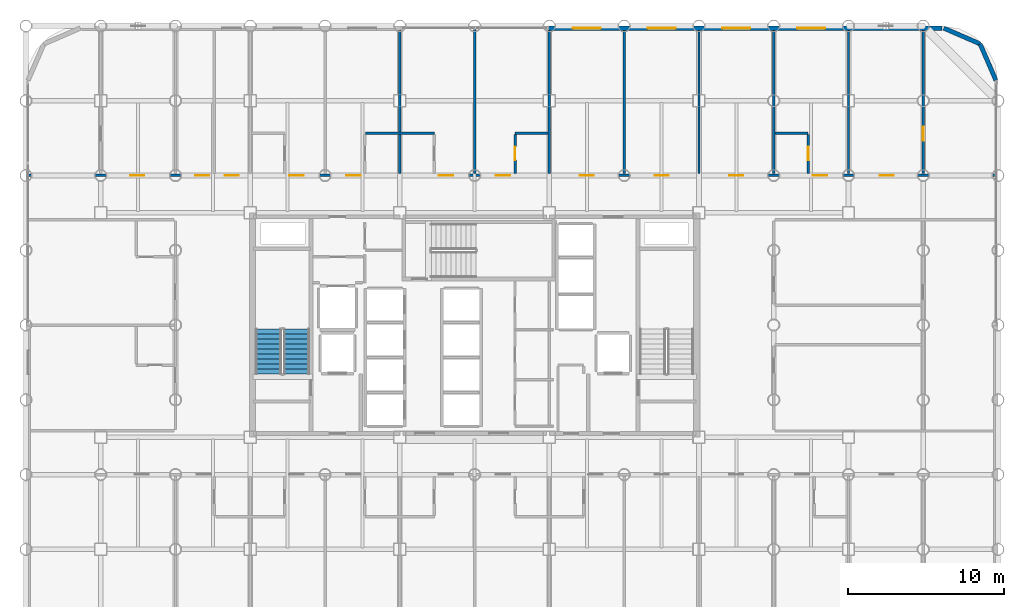
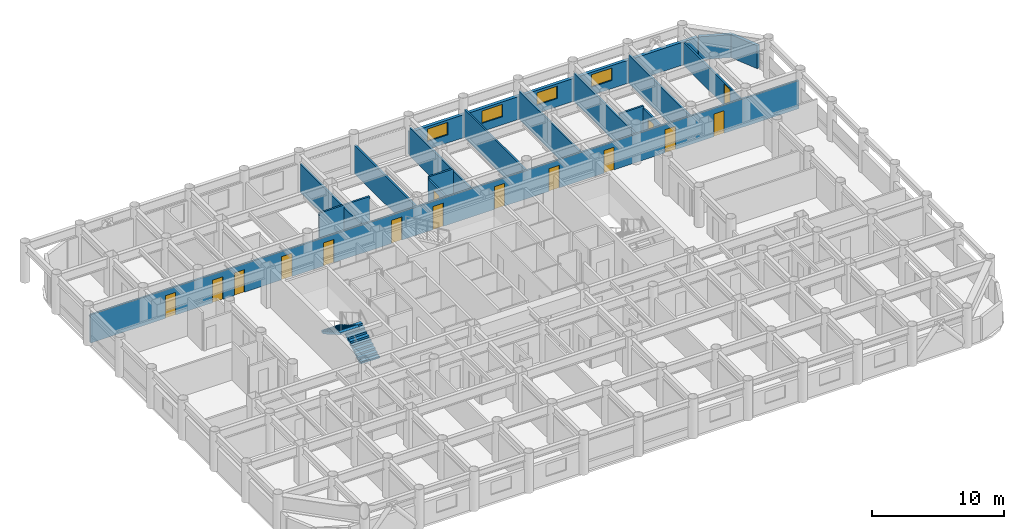
# One storey, part 19 of 21: 17 walls, 15 doors, 4 windows, 2 stair flights, 19 openings, 1 element without a shape of its own.
"""IFC4 building model written with IfcOpenShell, lengths in metres."""

from ifc_helpers import new_model, si_unit, direction, frame, frame_2d, origin, place, context, subcontext, project, spatial, polyline, rectangle, outline, extrude, material, layer, layer_set, type_object, element, fill, aggregate, save


model = new_model("IFC4")

# Units and contexts
model_context = context("Model", 3, precision=1e-05, world=origin(), true_north=direction((0.0, 1.0)))
body_context = subcontext(model_context, "Body", "Model", "MODEL_VIEW")
ifc_project = project(units=[si_unit("LENGTHUNIT", "METRE"), si_unit("AREAUNIT", "SQUARE_METRE"), si_unit("VOLUMEUNIT", "CUBIC_METRE"), si_unit("PLANEANGLEUNIT", "RADIAN"), si_unit("MASSUNIT", "GRAM", prefix="KILO")], contexts=[model_context])

# Site, building, storey
site_placement = place(None, origin())
site = spatial("IfcSite", under=ifc_project, at=site_placement, CompositionType="ELEMENT")
building_placement = place(site_placement, origin())
building = spatial("IfcBuilding", under=site, at=building_placement, Name="Kallvorn Hotel Tower", CompositionType="ELEMENT")
storey_placement = place(building_placement, frame((0.0, 0.0, 81.800048828125)))
storey = spatial("IfcBuildingStorey", under=building, at=storey_placement, Name="L19", CompositionType="ELEMENT", Elevation=81.800048828125)

# Wall, openings, doors
ifc_material_1 = material(Name="Fire-rated double-layer acoustic gypsum drywall EI 60")
ifc_layer_1 = layer(ifc_material_1, 0.159912109375)
ifc_layer_set_1 = layer_set([ifc_layer_1], Name="WL_DEMISE_160")
wall_type_1 = type_object("IfcWallType", Name="WL_DEMISE_160", PredefinedType="PARTITIONING", material=ifc_layer_set_1)
wall_1_placement = place(storey_placement, frame((-28.6298828125, 9.60009765625, 0.0), z_axis=(0.0, 0.0, 1.0), x_axis=(1.0, 0.0, 0.0)))
wall_1 = element("IfcWall", 1, at=wall_1_placement, inside=storey, type_object=wall_type_1, Name="L19 Suite 1910 Standard Twin Room Partition", PredefinedType="PARTITIONING", context=body_context, shape_type="SweptSolid", body=[
    extrude(rectangle(XDim=62.059814453125, YDim=0.159912109375, at=frame_2d((31.02978515625, 0.0))), origin(), (0.0, 0.0, 1.0), 2.619873046875),
])
opening_1_placement = place(wall_1_placement, frame((6.5400390625, 0.0, 0.0)))
opening_1 = element("IfcOpeningElement", 2, at=opening_1_placement, cuts=wall_1, Name="Opening SVD1", PredefinedType="OPENING", context=body_context, shape_type="SweptSolid", body=[
    extrude(rectangle(XDim=0.89990234375, YDim=2.10009765625, at=frame_2d((0.449951171875, 1.050048828125))), frame((0.0, 0.094970703125, 0.0), z_axis=(0.0, -1.0, 0.0), x_axis=(1.0, 0.0, 0.0)), (0.0, 0.0, 1.0), 0.18994140625),
])
opening_2_placement = place(wall_1_placement, frame((54.6201171875, 0.0, 0.0)))
opening_2 = element("IfcOpeningElement", 3, at=opening_2_placement, cuts=wall_1, Name="Opening SVD1", PredefinedType="OPENING", context=body_context, shape_type="SweptSolid", body=[
    extrude(rectangle(XDim=0.89990234375, YDim=2.10009765625, at=frame_2d((0.449951171875, 1.050048828125))), frame((0.0, 0.094970703125, 0.0), z_axis=(0.0, -1.0, 0.0), x_axis=(1.0, 0.0, 0.0)), (0.0, 0.0, 1.0), 0.18994140625),
])
opening_3_placement = place(wall_1_placement, frame((10.68994140625, 0.0, 0.0)))
opening_3 = element("IfcOpeningElement", 4, at=opening_3_placement, cuts=wall_1, Name="Opening SVD1", PredefinedType="OPENING", context=body_context, shape_type="SweptSolid", body=[
    extrude(rectangle(XDim=0.89990234375, YDim=2.10009765625, at=frame_2d((0.449951171875, 1.050048828125))), frame((0.0, 0.094970703125, 0.0), z_axis=(0.0, -1.0, 0.0), x_axis=(1.0, 0.0, 0.0)), (0.0, 0.0, 1.0), 0.18994140625),
])
opening_4_placement = place(wall_1_placement, frame((12.580078125, 0.0, 0.0)))
opening_4 = element("IfcOpeningElement", 5, at=opening_4_placement, cuts=wall_1, Name="Opening SVD1", PredefinedType="OPENING", context=body_context, shape_type="SweptSolid", body=[
    extrude(rectangle(XDim=0.89990234375, YDim=2.10009765625, at=frame_2d((0.449951171875, 1.050048828125))), frame((0.0, 0.094970703125, 0.0), z_axis=(0.0, -1.0, 0.0), x_axis=(1.0, 0.0, 0.0)), (0.0, 0.0, 1.0), 0.18994140625),
])
opening_5_placement = place(wall_1_placement, frame((16.739990234375, 0.0, 0.0)))
opening_5 = element("IfcOpeningElement", 6, at=opening_5_placement, cuts=wall_1, Name="Opening GD1", PredefinedType="OPENING", context=body_context, shape_type="SweptSolid", body=[
    extrude(rectangle(XDim=0.919921875, YDim=2.14990234375, at=frame_2d((0.4599609375, 1.074951171875))), frame((0.0, 0.094970703125, 0.0), z_axis=(0.0, -1.0, 0.0), x_axis=(1.0, 0.0, 0.0)), (0.0, 0.0, 1.0), 0.18994140625),
])
opening_6_placement = place(wall_1_placement, frame((20.39990234375, 0.0, 0.0)))
opening_6 = element("IfcOpeningElement", 7, at=opening_6_placement, cuts=wall_1, Name="Opening GD1", PredefinedType="OPENING", context=body_context, shape_type="SweptSolid", body=[
    extrude(rectangle(XDim=0.919921875, YDim=2.14990234375, at=frame_2d((0.4599609375, 1.074951171875))), frame((0.0, 0.094970703125, 0.0), z_axis=(0.0, -1.0, 0.0), x_axis=(1.0, 0.0, 0.0)), (0.0, 0.0, 1.0), 0.18994140625),
])
opening_7_placement = place(wall_1_placement, frame((26.340087890625, 0.0, 0.0)))
opening_7 = element("IfcOpeningElement", 8, at=opening_7_placement, cuts=wall_1, Name="Opening GD1", PredefinedType="OPENING", context=body_context, shape_type="SweptSolid", body=[
    extrude(rectangle(XDim=0.919921875, YDim=2.14990234375, at=frame_2d((0.4599609375, 1.074951171875))), frame((0.0, 0.094970703125, 0.0), z_axis=(0.0, -1.0, 0.0), x_axis=(1.0, 0.0, 0.0)), (0.0, 0.0, 1.0), 0.18994140625),
])
opening_8_placement = place(wall_1_placement, frame((30.0, 0.0, 0.0)))
opening_8 = element("IfcOpeningElement", 9, at=opening_8_placement, cuts=wall_1, Name="Opening GD1", PredefinedType="OPENING", context=body_context, shape_type="SweptSolid", body=[
    extrude(rectangle(XDim=0.919921875, YDim=2.14990234375, at=frame_2d((0.4599609375, 1.074951171875))), frame((0.0, 0.094970703125, 0.0), z_axis=(0.0, -1.0, 0.0), x_axis=(1.0, 0.0, 0.0)), (0.0, 0.0, 1.0), 0.18994140625),
])
opening_9_placement = place(wall_1_placement, frame((35.3798828125, 0.0, 0.0)))
opening_9 = element("IfcOpeningElement", 10, at=opening_9_placement, cuts=wall_1, Name="Opening SVD1", PredefinedType="OPENING", context=body_context, shape_type="SweptSolid", body=[
    extrude(rectangle(XDim=0.89990234375, YDim=2.10009765625, at=frame_2d((0.449951171875, 1.050048828125))), frame((0.0, 0.094970703125, 0.0), z_axis=(0.0, -1.0, 0.0), x_axis=(1.0, 0.0, 0.0)), (0.0, 0.0, 1.0), 0.18994140625),
])
opening_10_placement = place(wall_1_placement, frame((40.179931640625, 0.0, 0.0)))
opening_10 = element("IfcOpeningElement", 11, at=opening_10_placement, cuts=wall_1, Name="Opening SVD1", PredefinedType="OPENING", context=body_context, shape_type="SweptSolid", body=[
    extrude(rectangle(XDim=0.89990234375, YDim=2.10009765625, at=frame_2d((0.449951171875, 1.050048828125))), frame((0.0, 0.094970703125, 0.0), z_axis=(0.0, -1.0, 0.0), x_axis=(1.0, 0.0, 0.0)), (0.0, 0.0, 1.0), 0.18994140625),
])
opening_11_placement = place(wall_1_placement, frame((44.97998046875, 0.0, 0.0)))
opening_11 = element("IfcOpeningElement", 12, at=opening_11_placement, cuts=wall_1, Name="Opening SVD1", PredefinedType="OPENING", context=body_context, shape_type="SweptSolid", body=[
    extrude(rectangle(XDim=0.89990234375, YDim=2.10009765625, at=frame_2d((0.449951171875, 1.050048828125))), frame((0.0, 0.094970703125, 0.0), z_axis=(0.0, -1.0, 0.0), x_axis=(1.0, 0.0, 0.0)), (0.0, 0.0, 1.0), 0.18994140625),
])
opening_12_placement = place(wall_1_placement, frame((50.340087890625, 0.0, 0.0)))
opening_12 = element("IfcOpeningElement", 13, at=opening_12_placement, cuts=wall_1, Name="Opening GD1", PredefinedType="OPENING", context=body_context, shape_type="SweptSolid", body=[
    extrude(rectangle(XDim=0.919921875, YDim=2.14990234375, at=frame_2d((0.4599609375, 1.074951171875))), frame((0.0, 0.094970703125, 0.0), z_axis=(0.0, -1.0, 0.0), x_axis=(1.0, 0.0, 0.0)), (0.0, 0.0, 1.0), 0.18994140625),
])
ifc_material_2 = material(Name="Solid-core walnut veneer fire-rated timber door leaf", Category="wood")
door_type_1 = type_object("IfcDoorType", Name="DR_GUEST_920x2150", OperationType="NOTDEFINED", PredefinedType="DOOR", material=ifc_material_2)
door_1_placement = place(opening_5_placement, origin())
door_1 = element("IfcDoor", 14, at=door_1_placement, inside=storey, type_object=door_type_1, Name="L19 Suite 1910 Standard Twin Room Door", OperationType="SINGLE_SWING_LEFT", OverallHeight=2.14990234375, OverallWidth=0.919921875, PredefinedType="DOOR", context=body_context, shape_type="SweptSolid", body=[
    extrude(rectangle(XDim=0.919921875, YDim=2.14990234375, at=frame_2d((0.4599609375, 1.074951171875))), frame((0.0, 0.02490234375, 0.0), z_axis=(0.0, -1.0, 0.0), x_axis=(1.0, 0.0, 0.0)), (0.0, 0.0, 1.0), 0.050048828125),
])
fill(opening_5, door_1)
door_2_placement = place(opening_6_placement, origin())
door_2 = element("IfcDoor", 15, at=door_2_placement, inside=storey, type_object=door_type_1, Name="L19 Suite 1911 Standard Twin Room Door", OperationType="SINGLE_SWING_LEFT", OverallHeight=2.14990234375, OverallWidth=0.919921875, PredefinedType="DOOR", context=body_context, shape_type="SweptSolid", body=[
    extrude(rectangle(XDim=0.919921875, YDim=2.14990234375, at=frame_2d((0.4599609375, 1.074951171875))), frame((0.0, 0.02490234375, 0.0), z_axis=(0.0, -1.0, 0.0), x_axis=(1.0, 0.0, 0.0)), (0.0, 0.0, 1.0), 0.050048828125),
])
fill(opening_6, door_2)
door_3_placement = place(opening_7_placement, origin())
door_3 = element("IfcDoor", 16, at=door_3_placement, inside=storey, type_object=door_type_1, Name="L19 Suite 1912 Standard Twin Room Door", OperationType="SINGLE_SWING_LEFT", OverallHeight=2.14990234375, OverallWidth=0.919921875, PredefinedType="DOOR", context=body_context, shape_type="SweptSolid", body=[
    extrude(rectangle(XDim=0.919921875, YDim=2.14990234375, at=frame_2d((0.4599609375, 1.074951171875))), frame((0.0, 0.02490234375, 0.0), z_axis=(0.0, -1.0, 0.0), x_axis=(1.0, 0.0, 0.0)), (0.0, 0.0, 1.0), 0.050048828125),
])
fill(opening_7, door_3)
door_4_placement = place(opening_8_placement, origin())
door_4 = element("IfcDoor", 17, at=door_4_placement, inside=storey, type_object=door_type_1, Name="L19 Suite 1913 Standard Twin Room Door", OperationType="SINGLE_SWING_LEFT", OverallHeight=2.14990234375, OverallWidth=0.919921875, PredefinedType="DOOR", context=body_context, shape_type="SweptSolid", body=[
    extrude(rectangle(XDim=0.919921875, YDim=2.14990234375, at=frame_2d((0.4599609375, 1.074951171875))), frame((0.0, 0.02490234375, 0.0), z_axis=(0.0, -1.0, 0.0), x_axis=(1.0, 0.0, 0.0)), (0.0, 0.0, 1.0), 0.050048828125),
])
fill(opening_8, door_4)
door_5_placement = place(opening_12_placement, origin())
door_5 = element("IfcDoor", 18, at=door_5_placement, inside=storey, type_object=door_type_1, Name="L19 Suite 1914 Standard Twin Room Door", OperationType="SINGLE_SWING_RIGHT", OverallHeight=2.14990234375, OverallWidth=0.919921875, PredefinedType="DOOR", context=body_context, shape_type="SweptSolid", body=[
    extrude(rectangle(XDim=0.919921875, YDim=2.14990234375, at=frame_2d((0.4599609375, 1.074951171875))), frame((0.0, 0.02490234375, 0.0), z_axis=(0.0, -1.0, 0.0), x_axis=(1.0, 0.0, 0.0)), (0.0, 0.0, 1.0), 0.050048828125),
])
fill(opening_12, door_5)
ifc_material_3 = material(Name="Galvanised painted steel fire-rated door assembly", Category="steel")
door_type_2 = type_object("IfcDoorType", Name="DR_SERV_900x2100", OperationType="NOTDEFINED", PredefinedType="DOOR", material=ifc_material_3)
door_6_placement = place(opening_1_placement, origin())
door_6 = element("IfcDoor", 19, at=door_6_placement, inside=storey, type_object=door_type_2, Name="L19 L19 North-West Fitness Gymnasium B Door", OperationType="SINGLE_SWING_RIGHT", OverallHeight=2.10009765625, OverallWidth=0.89990234375, PredefinedType="DOOR", context=body_context, shape_type="SweptSolid", body=[
    extrude(rectangle(XDim=0.89990234375, YDim=2.10009765625, at=frame_2d((0.449951171875, 1.050048828125))), frame((0.0, 0.02490234375, 0.0), z_axis=(0.0, -1.0, 0.0), x_axis=(1.0, 0.0, 0.0)), (0.0, 0.0, 1.0), 0.050048828125),
])
fill(opening_1, door_6)
door_7_placement = place(opening_2_placement, origin())
door_7 = element("IfcDoor", 20, at=door_7_placement, inside=storey, type_object=door_type_2, Name="L19 L19 North-East Reading Club A Door", OperationType="SINGLE_SWING_LEFT", OverallHeight=2.10009765625, OverallWidth=0.89990234375, PredefinedType="DOOR", context=body_context, shape_type="SweptSolid", body=[
    extrude(rectangle(XDim=0.89990234375, YDim=2.10009765625, at=frame_2d((0.449951171875, 1.050048828125))), frame((0.0, 0.02490234375, 0.0), z_axis=(0.0, -1.0, 0.0), x_axis=(1.0, 0.0, 0.0)), (0.0, 0.0, 1.0), 0.050048828125),
])
fill(opening_2, door_7)
door_8_placement = place(opening_3_placement, origin())
door_8 = element("IfcDoor", 21, at=door_8_placement, inside=storey, type_object=door_type_2, Name="L19 Housekeeping and Linen Room Door", OperationType="SINGLE_SWING_RIGHT", OverallHeight=2.10009765625, OverallWidth=0.89990234375, PredefinedType="DOOR", context=body_context, shape_type="SweptSolid", body=[
    extrude(rectangle(XDim=0.89990234375, YDim=2.10009765625, at=frame_2d((0.449951171875, 1.050048828125))), frame((0.0, 0.02490234375, 0.0), z_axis=(0.0, -1.0, 0.0), x_axis=(1.0, 0.0, 0.0)), (0.0, 0.0, 1.0), 0.050048828125),
])
fill(opening_3, door_8)
door_9_placement = place(opening_4_placement, origin())
door_9 = element("IfcDoor", 22, at=door_9_placement, inside=storey, type_object=door_type_2, Name="L19 Guest Tea and Refreshment Bar Door", OperationType="SINGLE_SWING_LEFT", OverallHeight=2.10009765625, OverallWidth=0.89990234375, PredefinedType="DOOR", context=body_context, shape_type="SweptSolid", body=[
    extrude(rectangle(XDim=0.89990234375, YDim=2.10009765625, at=frame_2d((0.449951171875, 1.050048828125))), frame((0.0, 0.02490234375, 0.0), z_axis=(0.0, -1.0, 0.0), x_axis=(1.0, 0.0, 0.0)), (0.0, 0.0, 1.0), 0.050048828125),
])
fill(opening_4, door_9)
door_10_placement = place(opening_9_placement, origin())
door_10 = element("IfcDoor", 23, at=door_10_placement, inside=storey, type_object=door_type_2, Name="L19 L19 Executive Co-Working Open-Plan Office 6-1 Door", OperationType="SINGLE_SWING_RIGHT", OverallHeight=2.10009765625, OverallWidth=0.89990234375, PredefinedType="DOOR", context=body_context, shape_type="SweptSolid", body=[
    extrude(rectangle(XDim=0.89990234375, YDim=2.10009765625, at=frame_2d((0.449951171875, 1.050048828125))), frame((0.0, 0.02490234375, 0.0), z_axis=(0.0, -1.0, 0.0), x_axis=(1.0, 0.0, 0.0)), (0.0, 0.0, 1.0), 0.050048828125),
])
fill(opening_9, door_10)
door_11_placement = place(opening_10_placement, origin())
door_11 = element("IfcDoor", 24, at=door_11_placement, inside=storey, type_object=door_type_2, Name="L19 L19 Executive Co-Working Open-Plan Office 6-2 Door", OperationType="SINGLE_SWING_RIGHT", OverallHeight=2.10009765625, OverallWidth=0.89990234375, PredefinedType="DOOR", context=body_context, shape_type="SweptSolid", body=[
    extrude(rectangle(XDim=0.89990234375, YDim=2.10009765625, at=frame_2d((0.449951171875, 1.050048828125))), frame((0.0, 0.02490234375, 0.0), z_axis=(0.0, -1.0, 0.0), x_axis=(1.0, 0.0, 0.0)), (0.0, 0.0, 1.0), 0.050048828125),
])
fill(opening_10, door_11)
door_12_placement = place(opening_11_placement, origin())
door_12 = element("IfcDoor", 25, at=door_12_placement, inside=storey, type_object=door_type_2, Name="L19 L19 Executive Co-Working Open-Plan Office 6-3 Door", OperationType="SINGLE_SWING_LEFT", OverallHeight=2.10009765625, OverallWidth=0.89990234375, PredefinedType="DOOR", context=body_context, shape_type="SweptSolid", body=[
    extrude(rectangle(XDim=0.89990234375, YDim=2.10009765625, at=frame_2d((0.449951171875, 1.050048828125))), frame((0.0, 0.02490234375, 0.0), z_axis=(0.0, -1.0, 0.0), x_axis=(1.0, 0.0, 0.0)), (0.0, 0.0, 1.0), 0.050048828125),
])
fill(opening_11, door_12)

# Walls
wall_2_placement = place(storey_placement, frame((-7.010009765625, 12.320068359375, 0.0), z_axis=(0.0, 0.0, 1.0), x_axis=(1.0, 0.0, 0.0)))
element("IfcWall", 26, at=wall_2_placement, inside=storey, type_object=wall_type_1, Name="L19 Suite 1911 Standard Twin Room Partition", PredefinedType="PARTITIONING", context=body_context, shape_type="SweptSolid", body=[
    extrude(rectangle(XDim=4.419921875, YDim=0.159912109375, at=frame_2d((2.2099609375, 0.0))), origin(), (0.0, 0.0, 1.0), 2.820068359375),
])
for number, where, z_axis, x_axis, name in (
    (27, (2.590087890625, 12.320068359375, 0.0), (0.0, 0.0, 1.0), (1.0, 0.0, 0.0), "L19 Suite 1913 Standard Twin Room Partition"),
    (28, (19.280029296875, 12.320068359375, 0.0), (0.0, 0.0, 1.0), (1.0, 0.0, 0.0), "L19 Suite 1914 Standard Twin Room Partition"),
):
    element("IfcWall", number, at=place(storey_placement, frame(where, z_axis=z_axis, x_axis=x_axis)), inside=storey, type_object=wall_type_1, Name=name, PredefinedType="PARTITIONING", context=body_context, shape_type="SweptSolid", body=[
        extrude(rectangle(XDim=2.1298828125, YDim=0.159912109375, at=frame_2d((1.06494140625, 0.0))), origin(), (0.0, 0.0, 1.0), 2.820068359375),
    ])
wall_3_placement = place(storey_placement, frame((-4.800048828125, 9.719970703125, 0.0), z_axis=(0.0, 0.0, 1.0), x_axis=(0.0, 1.0, 0.0)))
element("IfcWall", 29, at=wall_3_placement, inside=storey, type_object=wall_type_1, Name="L19 Suite 1911 Standard Twin Room Partition", PredefinedType="PARTITIONING", context=body_context, shape_type="SweptSolid", body=[
    extrude(rectangle(XDim=9.18994140625, YDim=0.159912109375, at=frame_2d((4.594970703125, 0.0))), origin(), (0.0, 0.0, 1.0), 2.619873046875),
])
wall_4_placement = place(storey_placement, frame((0.0, 9.719970703125, 0.0), z_axis=(0.0, 0.0, 1.0), x_axis=(0.0, 1.0, 0.0)))
element("IfcWall", 30, at=wall_4_placement, inside=storey, type_object=wall_type_1, Name="L19 Suite 1912 Standard Twin Room Partition", PredefinedType="PARTITIONING", context=body_context, shape_type="SweptSolid", body=[
    extrude(rectangle(XDim=9.275146484375, YDim=0.159912109375, at=frame_2d((4.6376953125, 0.0))), origin(), (0.0, 0.0, 1.0), 2.619873046875),
])

# Wall, opening, door
wall_5_placement = place(storey_placement, frame((2.59423828125, 9.719970703125, 0.0), z_axis=(0.0, 0.0, 1.0), x_axis=(0.0, 1.0, 0.0)))
wall_5 = element("IfcWall", 31, at=wall_5_placement, inside=storey, type_object=wall_type_1, Name="L19 Suite 1913 Standard Twin Room Partition", PredefinedType="PARTITIONING", context=body_context, shape_type="SweptSolid", body=[
    extrude(rectangle(XDim=2.51513671875, YDim=0.159912109375, at=frame_2d((1.257568359375, 0.0))), origin(), (0.0, 0.0, 1.0), 2.619873046875),
])
opening_13_placement = place(wall_5_placement, frame((0.8701171875, 0.0, 0.0)))
opening_13 = element("IfcOpeningElement", 32, at=opening_13_placement, cuts=wall_5, Name="Opening BD-I", PredefinedType="OPENING", context=body_context, shape_type="SweptSolid", body=[
    extrude(rectangle(XDim=0.860107421875, YDim=2.10009765625, at=frame_2d((0.43017578125, 1.050048828125))), frame((0.0, 0.094970703125, 0.0), z_axis=(0.0, -1.0, 0.0), x_axis=(1.0, 0.0, 0.0)), (0.0, 0.0, 1.0), 0.18994140625),
])
ifc_material_4 = material(Name="Solid-core walnut veneer fire-rated timber door leaf", Category="wood")
door_type_3 = type_object("IfcDoorType", Name="DR_BATH_860x2100", OperationType="NOTDEFINED", PredefinedType="DOOR", material=ifc_material_4)
door_13_placement = place(opening_13_placement, origin())
door_13 = element("IfcDoor", 33, at=door_13_placement, inside=storey, type_object=door_type_3, Name="L19 Suite 1913 En-Suite Bathroom Door", OperationType="SINGLE_SWING_LEFT", OverallHeight=2.10009765625, OverallWidth=0.860107421875, PredefinedType="DOOR", context=body_context, shape_type="SweptSolid", body=[
    extrude(rectangle(XDim=0.860107421875, YDim=2.10009765625, at=frame_2d((0.43017578125, 1.050048828125))), frame((0.0, 0.02490234375, 0.0), z_axis=(0.0, -1.0, 0.0), x_axis=(1.0, 0.0, 0.0)), (0.0, 0.0, 1.0), 0.050048828125),
])
fill(opening_13, door_13)

# Walls
for number, where, z_axis, x_axis, name in (
    (34, (4.800048828125, 9.719970703125, 0.0), (0.0, 0.0, 1.0), (0.0, 1.0, 0.0), "L19 Suite 1913 Standard Twin Room Partition"),
    (35, (19.199951171875, 9.719970703125, 0.0), (0.0, 0.0, 1.0), (0.0, 1.0, 0.0), "L19 Suite 1914 Standard Twin Room Partition"),
):
    element("IfcWall", number, at=place(storey_placement, frame(where, z_axis=z_axis, x_axis=x_axis)), inside=storey, type_object=wall_type_1, Name=name, PredefinedType="PARTITIONING", context=body_context, shape_type="SweptSolid", body=[
        extrude(rectangle(XDim=9.18994140625, YDim=0.159912109375, at=frame_2d((4.594970703125, 0.0))), origin(), (0.0, 0.0, 1.0), 2.619873046875),
    ])

# Wall, opening, door
wall_6_placement = place(storey_placement, frame((21.409912109375, 9.719970703125, 0.0), z_axis=(0.0, 0.0, 1.0), x_axis=(0.0, 1.0, 0.0)))
wall_6 = element("IfcWall", 36, at=wall_6_placement, inside=storey, type_object=wall_type_1, Name="L19 Suite 1914 Standard Twin Room Partition", PredefinedType="PARTITIONING", context=body_context, shape_type="SweptSolid", body=[
    extrude(rectangle(XDim=2.51513671875, YDim=0.159912109375, at=frame_2d((1.257568359375, 0.0))), origin(), (0.0, 0.0, 1.0), 2.619873046875),
])
opening_14_placement = place(wall_6_placement, frame((0.8701171875, 0.0, 0.0)))
opening_14 = element("IfcOpeningElement", 37, at=opening_14_placement, cuts=wall_6, Name="Opening BD-I", PredefinedType="OPENING", context=body_context, shape_type="SweptSolid", body=[
    extrude(rectangle(XDim=0.860107421875, YDim=2.10009765625, at=frame_2d((0.43017578125, 1.050048828125))), frame((0.0, 0.094970703125, 0.0), z_axis=(0.0, -1.0, 0.0), x_axis=(1.0, 0.0, 0.0)), (0.0, 0.0, 1.0), 0.18994140625),
])
door_14_placement = place(opening_14_placement, origin())
door_14 = element("IfcDoor", 38, at=door_14_placement, inside=storey, type_object=door_type_3, Name="L19 Suite 1914 En-Suite Bathroom Door", OperationType="SINGLE_SWING_RIGHT", OverallHeight=2.10009765625, OverallWidth=0.860107421875, PredefinedType="DOOR", context=body_context, shape_type="SweptSolid", body=[
    extrude(rectangle(XDim=0.860107421875, YDim=2.10009765625, at=frame_2d((0.43017578125, 1.050048828125))), frame((0.0, 0.02490234375, 0.0), z_axis=(0.0, -1.0, 0.0), x_axis=(1.0, 0.0, 0.0)), (0.0, 0.0, 1.0), 0.050048828125),
])
fill(opening_14, door_14)

# Walls
wall_7_placement = place(storey_placement, frame((24.0, 9.719970703125, 0.0), z_axis=(0.0, 0.0, 1.0), x_axis=(0.0, 1.0, 0.0)))
element("IfcWall", 39, at=wall_7_placement, inside=storey, type_object=wall_type_1, Name="L19 Suite 1914 Standard Twin Room Partition", PredefinedType="PARTITIONING", context=body_context, shape_type="SweptSolid", body=[
    extrude(rectangle(XDim=9.18994140625, YDim=0.159912109375, at=frame_2d((4.594970703125, 0.0))), origin(), (0.0, 0.0, 1.0), 2.619873046875),
])
ifc_material_5 = material(Name="Precast basalt-clad insulated concrete wall C40/50", Category="masonry")
ifc_layer_2 = layer(ifc_material_5, 0.280029296875)
ifc_layer_set_2 = layer_set([ifc_layer_2], Name="WL_EXT_LOGGIA_280")
wall_type_2 = type_object("IfcWallType", Name="WL_EXT_LOGGIA_280", PredefinedType="SOLIDWALL", material=ifc_layer_set_2)
wall_8_placement = place(storey_placement, frame((33.4580078125, 15.720703125, 0.0), z_axis=(0.0, 0.0, 1.0), x_axis=(-0.398792985289, 0.917040977756, 0.0)))
element("IfcWall", 40, at=wall_8_placement, inside=storey, type_object=wall_type_2, Name="L19 Rounded Corner Exterior Wall NE1", PredefinedType="SOLIDWALL", context=body_context, shape_type="SweptSolid", body=[
    extrude(rectangle(XDim=2.536376953125, YDim=0.280029296875, at=frame_2d((1.26806640625, 0.0))), origin(), (0.0, 0.0, 1.0), 2.119873046875),
])
wall_9_placement = place(storey_placement, frame((32.446533203125, 18.046630859375, 0.0), z_axis=(0.0, 0.0, 1.0), x_axis=(-0.917060872934, 0.398747232384, 0.0)))
element("IfcWall", 41, at=wall_9_placement, inside=storey, type_object=wall_type_2, Name="L19 Rounded Corner Exterior Wall NE2", PredefinedType="SOLIDWALL", context=body_context, shape_type="SweptSolid", body=[
    extrude(rectangle(XDim=2.5361328125, YDim=0.280029296875, at=frame_2d((1.26806640625, 0.0))), origin(), (0.0, 0.0, 1.0), 2.119873046875),
])

# Wall, openings, windows
wall_10_placement = place(storey_placement, frame((4.75, 19.06005859375, 0.0), z_axis=(0.0, 0.0, 1.0), x_axis=(1.0, 0.0, 0.0)))
wall_10 = element("IfcWall", 42, at=wall_10_placement, inside=storey, type_object=wall_type_2, Name="L19 Exterior Envelope Wall EW-L19-NE", PredefinedType="SOLIDWALL", context=body_context, shape_type="SweptSolid", body=[
    extrude(rectangle(XDim=25.25, YDim=0.280029296875, at=frame_2d((12.625, 0.0))), origin(), (0.0, 0.0, 1.0), 2.119873046875),
])
opening_15_placement = place(wall_10_placement, frame((1.550048828125, 0.0, 0.75)))
opening_15 = element("IfcOpeningElement", 43, at=opening_15_placement, cuts=wall_10, Name="Opening W04A", PredefinedType="OPENING", context=body_context, shape_type="SweptSolid", body=[
    extrude(rectangle(XDim=1.800048828125, YDim=1.14990234375, at=frame_2d((0.89990234375, 0.574951171875))), frame((0.0, 0.155029296875, 0.0), z_axis=(0.0, -1.0, 0.0), x_axis=(1.0, 0.0, 0.0)), (0.0, 0.0, 1.0), 0.31005859375),
])
opening_16_placement = place(wall_10_placement, frame((6.35009765625, 0.0, 0.75)))
opening_16 = element("IfcOpeningElement", 44, at=opening_16_placement, cuts=wall_10, Name="Opening W04A", PredefinedType="OPENING", context=body_context, shape_type="SweptSolid", body=[
    extrude(rectangle(XDim=1.800048828125, YDim=1.14990234375, at=frame_2d((0.89990234375, 0.574951171875))), frame((0.0, 0.155029296875, 0.0), z_axis=(0.0, -1.0, 0.0), x_axis=(1.0, 0.0, 0.0)), (0.0, 0.0, 1.0), 0.31005859375),
])
opening_17_placement = place(wall_10_placement, frame((11.14990234375, 0.0, 0.75)))
opening_17 = element("IfcOpeningElement", 45, at=opening_17_placement, cuts=wall_10, Name="Opening W04A", PredefinedType="OPENING", context=body_context, shape_type="SweptSolid", body=[
    extrude(rectangle(XDim=1.800048828125, YDim=1.14990234375, at=frame_2d((0.89990234375, 0.574951171875))), frame((0.0, 0.155029296875, 0.0), z_axis=(0.0, -1.0, 0.0), x_axis=(1.0, 0.0, 0.0)), (0.0, 0.0, 1.0), 0.31005859375),
])
opening_18_placement = place(wall_10_placement, frame((15.949951171875, 0.0, 0.75)))
opening_18 = element("IfcOpeningElement", 46, at=opening_18_placement, cuts=wall_10, Name="Opening W04A", PredefinedType="OPENING", context=body_context, shape_type="SweptSolid", body=[
    extrude(rectangle(XDim=1.800048828125, YDim=1.14990234375, at=frame_2d((0.89990234375, 0.574951171875))), frame((0.0, 0.155029296875, 0.0), z_axis=(0.0, -1.0, 0.0), x_axis=(1.0, 0.0, 0.0)), (0.0, 0.0, 1.0), 0.31005859375),
])
ifc_material_6 = material(Name="Double-glazed low-e solar-control dark glass", Category="glass")
window_type = type_object("IfcWindowType", Name="WN_HTL_1800x1150", PartitioningType="SINGLE_PANEL", PredefinedType="WINDOW", material=ifc_material_6)
window_1_placement = place(opening_15_placement, origin())
window_1 = element("IfcWindow", 47, at=window_1_placement, inside=storey, type_object=window_type, Name="L19 Guestroom Exterior Window 12", OverallHeight=1.14990234375, OverallWidth=1.800048828125, PartitioningType="SINGLE_PANEL", PredefinedType="WINDOW", context=body_context, shape_type="SweptSolid", body=[
    extrude(rectangle(XDim=1.800048828125, YDim=1.14990234375, at=frame_2d((0.89990234375, 0.574951171875))), frame((0.0, 0.030029296875, 0.0), z_axis=(0.0, -1.0, 0.0), x_axis=(1.0, 0.0, 0.0)), (0.0, 0.0, 1.0), 0.06005859375),
])
fill(opening_15, window_1)
window_2_placement = place(opening_16_placement, origin())
window_2 = element("IfcWindow", 48, at=window_2_placement, inside=storey, type_object=window_type, Name="L19 Guestroom Exterior Window 13", OverallHeight=1.14990234375, OverallWidth=1.800048828125, PartitioningType="SINGLE_PANEL", PredefinedType="WINDOW", context=body_context, shape_type="SweptSolid", body=[
    extrude(rectangle(XDim=1.800048828125, YDim=1.14990234375, at=frame_2d((0.89990234375, 0.574951171875))), frame((0.0, 0.030029296875, 0.0), z_axis=(0.0, -1.0, 0.0), x_axis=(1.0, 0.0, 0.0)), (0.0, 0.0, 1.0), 0.06005859375),
])
fill(opening_16, window_2)
window_3_placement = place(opening_17_placement, origin())
window_3 = element("IfcWindow", 49, at=window_3_placement, inside=storey, type_object=window_type, Name="L19 Guestroom Exterior Window 14", OverallHeight=1.14990234375, OverallWidth=1.800048828125, PartitioningType="SINGLE_PANEL", PredefinedType="WINDOW", context=body_context, shape_type="SweptSolid", body=[
    extrude(rectangle(XDim=1.800048828125, YDim=1.14990234375, at=frame_2d((0.89990234375, 0.574951171875))), frame((0.0, 0.030029296875, 0.0), z_axis=(0.0, -1.0, 0.0), x_axis=(1.0, 0.0, 0.0)), (0.0, 0.0, 1.0), 0.06005859375),
])
fill(opening_17, window_3)
window_4_placement = place(opening_18_placement, origin())
window_4 = element("IfcWindow", 50, at=window_4_placement, inside=storey, type_object=window_type, Name="L19 Guestroom Exterior Window 15", OverallHeight=1.14990234375, OverallWidth=1.800048828125, PartitioningType="SINGLE_PANEL", PredefinedType="WINDOW", context=body_context, shape_type="SweptSolid", body=[
    extrude(rectangle(XDim=1.800048828125, YDim=1.14990234375, at=frame_2d((0.89990234375, 0.574951171875))), frame((0.0, 0.030029296875, 0.0), z_axis=(0.0, -1.0, 0.0), x_axis=(1.0, 0.0, 0.0)), (0.0, 0.0, 1.0), 0.06005859375),
])
fill(opening_18, window_4)

# Walls
ifc_material_7 = material(Name="Fire-rated double-layer acoustic gypsum drywall EI 60")
ifc_layer_3 = layer(ifc_material_7, 0.14990234375)
ifc_layer_set_3 = layer_set([ifc_layer_3], Name="WL_PART_150")
wall_type_3 = type_object("IfcWallType", Name="WL_PART_150", PredefinedType="PARTITIONING", material=ifc_layer_set_3)
for number, where, z_axis, x_axis, name in (
    (51, (9.60009765625, 9.719970703125, 0.0), (0.0, 0.0, 1.0), (0.0, 1.0, 0.0), "L19 L19 Executive Co-Working Open-Plan Office 6-1 Partition"),
    (52, (14.39990234375, 9.719970703125, 0.0), (0.0, 0.0, 1.0), (0.0, 1.0, 0.0), "L19 L19 Executive Co-Working Open-Plan Office 6-2 Partition"),
):
    element("IfcWall", number, at=place(storey_placement, frame(where, z_axis=z_axis, x_axis=x_axis)), inside=storey, type_object=wall_type_3, Name=name, PredefinedType="PARTITIONING", context=body_context, shape_type="SweptSolid", body=[
        extrude(rectangle(XDim=9.18994140625, YDim=0.14990234375, at=frame_2d((4.594970703125, 0.0))), origin(), (0.0, 0.0, 1.0), 2.619873046875),
    ])

# Wall, opening, door
wall_11_placement = place(storey_placement, frame((28.800048828125, 9.719970703125, 0.0), z_axis=(0.0, 0.0, 1.0), x_axis=(0.0, 1.0, 0.0)))
wall_11 = element("IfcWall", 53, at=wall_11_placement, inside=storey, type_object=wall_type_3, Name="L19 L19 North-East Reading Club A Partition", PredefinedType="PARTITIONING", context=body_context, shape_type="SweptSolid", body=[
    extrude(rectangle(XDim=9.18994140625, YDim=0.14990234375, at=frame_2d((4.594970703125, 0.0))), origin(), (0.0, 0.0, 1.0), 2.119873046875),
])
opening_19_placement = place(wall_11_placement, frame((2.10791015625, 0.0, 0.0)))
opening_19 = element("IfcOpeningElement", 54, at=opening_19_placement, cuts=wall_11, Name="Opening SVD1A", PredefinedType="OPENING", context=body_context, shape_type="SweptSolid", body=[
    extrude(rectangle(XDim=0.89990234375, YDim=2.02001953125, at=frame_2d((0.449951171875, 1.010009765625))), frame((0.0, 0.08984375, 0.0), z_axis=(0.0, -1.0, 0.0), x_axis=(1.0, 0.0, 0.0)), (0.0, 0.0, 1.0), 0.179931640625),
])
ifc_material_8 = material(Name="Galvanised painted steel fire-rated door assembly", Category="steel")
door_type_4 = type_object("IfcDoorType", Name="DR_SERV_900x2020", OperationType="NOTDEFINED", PredefinedType="DOOR", material=ifc_material_8)
door_15_placement = place(opening_19_placement, origin())
door_15 = element("IfcDoor", 55, at=door_15_placement, inside=storey, type_object=door_type_4, Name="L19 L19 North-East Reading Club B Door", OperationType="SINGLE_SWING_RIGHT", OverallHeight=2.02001953125, OverallWidth=0.89990234375, PredefinedType="DOOR", context=body_context, shape_type="SweptSolid", body=[
    extrude(rectangle(XDim=0.89990234375, YDim=2.02001953125, at=frame_2d((0.449951171875, 1.010009765625))), frame((0.0, 0.02490234375, 0.0), z_axis=(0.0, -1.0, 0.0), x_axis=(1.0, 0.0, 0.0)), (0.0, 0.0, 1.0), 0.050048828125),
])
fill(opening_19, door_15)

# Stair, stair flights
ifc_material_9 = material(Name="Precast concrete C40/50", Category="concrete")
stair_type = type_object("IfcStairType", Name="STR_CORE_DOGLEG", PredefinedType="HALF_TURN_STAIR", material=ifc_material_9)
stair_placement = place(storey_placement, origin())
stair = element("IfcStair", 56, at=stair_placement, inside=storey, type_object=stair_type, Name="L19 Exit stair ST1", PredefinedType="HALF_TURN_STAIR")
ifc_material_10 = material(Name="Precast concrete C40/50", Category="concrete")
stair_flight_type = type_object("IfcStairFlightType", Name="FLT_CORE_1660", PredefinedType="STRAIGHT", material=ifc_material_10)
stair_flight_1_placement = place(storey_placement, frame((-11.429931640625, -3.139892578125, 0.0), z_axis=(0.0, 0.0, 1.0), x_axis=(0.0, 1.0, 0.0)))
stair_flight_1 = element("IfcStairFlight", 57, at=stair_flight_1_placement, type_object=stair_flight_type, Name="ST1 flight 1", NumberOfRisers=10, NumberOfTreads=9, PredefinedType="STRAIGHT", RiserHeight=0.185, TreadLength=0.32, context=body_context, shape_type="SweptSolid", body=[
    extrude(outline(polyline([(0.0, 0.0), (0.0, 0.18505859375), (0.320068359375, 0.18505859375), (0.320068359375, 0.3701171875), (0.639892578125, 0.3701171875), (0.639892578125, 0.554931640625), (0.9599609375, 0.554931640625), (0.9599609375, 0.739990234375), (1.280029296875, 0.739990234375), (1.280029296875, 0.925048828125), (1.60009765625, 0.925048828125), (1.60009765625, 1.110107421875), (1.919921875, 1.110107421875), (1.919921875, 1.294921875), (2.239990234375, 1.294921875), (2.239990234375, 1.47998046875), (2.56005859375, 1.47998046875), (2.56005859375, 1.6650390625), (2.8798828125, 1.6650390625), (2.8798828125, 1.85009765625), (2.8798828125, 1.491943359375), (0.299560546875, 0.0), (0.0, 0.0)])), frame((0.0, 0.830078125, 0.0), z_axis=(0.0, -1.0, 0.0), x_axis=(1.0, 0.0, 0.0)), (0.0, 0.0, 1.0), 1.659912109375),
])
stair_flight_2_placement = place(storey_placement, frame((-13.22998046875, -0.260009765625, 1.849853515625), z_axis=(0.0, 0.0, 1.0), x_axis=(0.0, -1.0, 0.0)))
stair_flight_2 = element("IfcStairFlight", 58, at=stair_flight_2_placement, type_object=stair_flight_type, Name="ST1 flight 2", NumberOfRisers=10, NumberOfTreads=9, PredefinedType="STRAIGHT", RiserHeight=0.185, TreadLength=0.32, context=body_context, shape_type="SweptSolid", body=[
    extrude(outline(polyline([(0.0, 0.0), (0.0, 0.18505859375), (0.320068359375, 0.18505859375), (0.320068359375, 0.3701171875), (0.639892578125, 0.3701171875), (0.639892578125, 0.554931640625), (0.9599609375, 0.554931640625), (0.9599609375, 0.739990234375), (1.280029296875, 0.739990234375), (1.280029296875, 0.925048828125), (1.60009765625, 0.925048828125), (1.60009765625, 1.110107421875), (1.919921875, 1.110107421875), (1.919921875, 1.294921875), (2.239990234375, 1.294921875), (2.239990234375, 1.47998046875), (2.56005859375, 1.47998046875), (2.56005859375, 1.6650390625), (2.8798828125, 1.6650390625), (2.8798828125, 1.85009765625), (2.8798828125, 1.491943359375), (0.299560546875, 0.0), (0.0, 0.0)])), frame((0.0, 0.830078125, 0.0), z_axis=(0.0, -1.0, 0.0), x_axis=(1.0, 0.0, 0.0)), (0.0, 0.0, 1.0), 1.659912109375),
])
aggregate(stair, [stair_flight_1, stair_flight_2])

save(model, "model.ifc")
